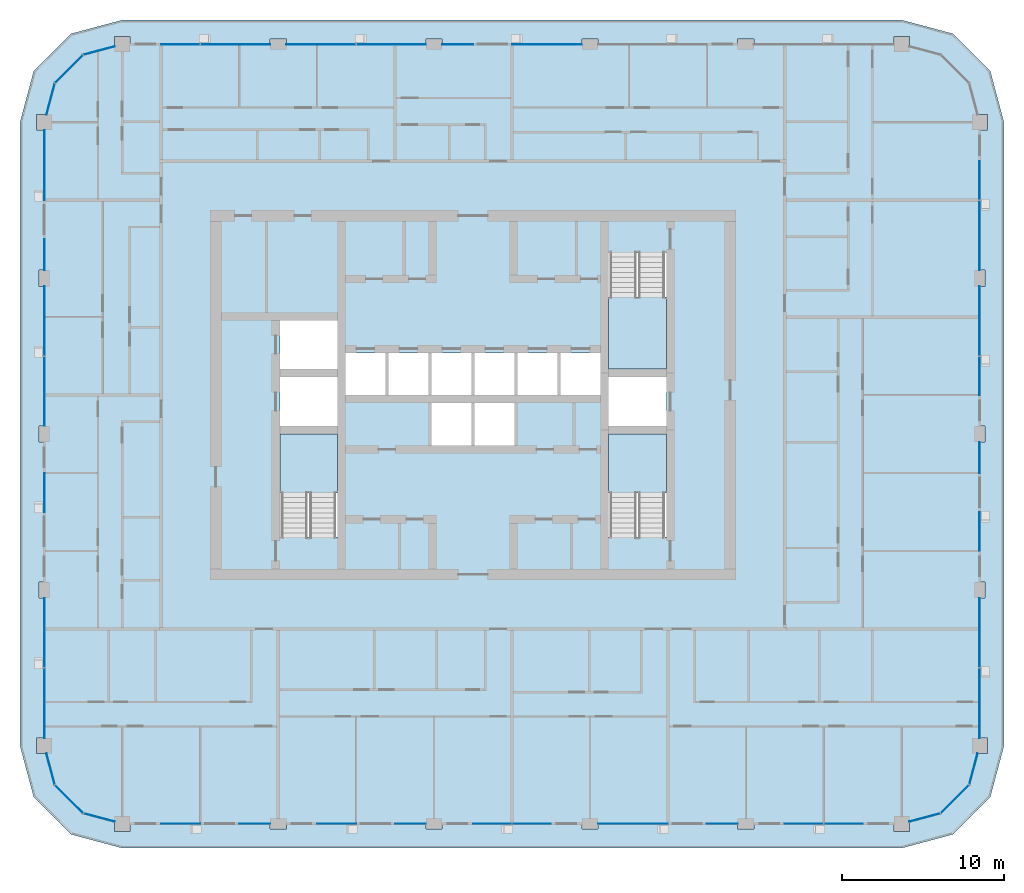
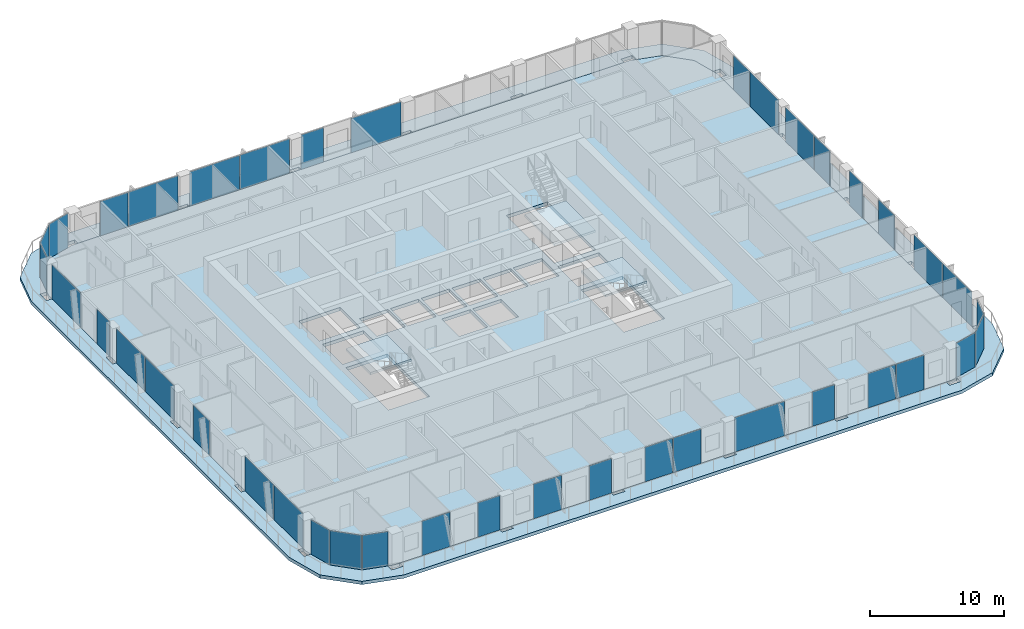
# One storey, part 7 of 22: 40 plates, 5 slabs, 22 elements without a shape of their own.
"""IFC4 building model written with IfcOpenShell, lengths in metres."""

from ifc_helpers import new_model, si_unit, direction, frame, origin, origin_2d, place, context, subcontext, project, spatial, polyline, rectangle, outline, extrude, material, layer, layer_set, type_object, element, aggregate, save


model = new_model("IFC4")

# Units and contexts
model_context = context("Model", 3, precision=1e-05, world=origin(), true_north=direction((0.0, 1.0)))
body_context = subcontext(model_context, "Body", "Model", "MODEL_VIEW")
ifc_project = project(units=[si_unit("LENGTHUNIT", "METRE"), si_unit("AREAUNIT", "SQUARE_METRE"), si_unit("VOLUMEUNIT", "CUBIC_METRE"), si_unit("PLANEANGLEUNIT", "RADIAN"), si_unit("MASSUNIT", "GRAM", prefix="KILO")], contexts=[model_context])

# Site, building, storey
site_placement = place(None, origin())
site = spatial("IfcSite", under=ifc_project, at=site_placement, CompositionType="ELEMENT")
building_placement = place(site_placement, origin())
building = spatial("IfcBuilding", under=site, at=building_placement, Name="Madar Terraces", CompositionType="ELEMENT")
storey_placement = place(building_placement, frame((0.0, 0.0, 182.39990234375)))
storey = spatial("IfcBuildingStorey", under=building, at=storey_placement, Name="L47", CompositionType="ELEMENT", Elevation=182.39990234375)

# Slabs
ifc_material_1 = material(Name="Concrete C50/60", Category="concrete")
ifc_layer_1 = layer(ifc_material_1, 0.300048828125)
ifc_layer_set_1 = layer_set([ifc_layer_1], Name="Balcony band 300")
slab_type_1 = type_object("IfcSlabType", Name="Balcony band 300", PredefinedType="FLOOR", material=ifc_layer_set_1)
slab_1_placement = place(storey_placement, frame((0.0, 0.0, -0.2998046875)))
element("IfcSlab", 1, at=slab_1_placement, inside=storey, type_object=slab_type_1, Name="Balcony band", PredefinedType="FLOOR", context=body_context, shape_type="SweptSolid", body=[
    extrude(outline(polyline([(9.60009765625, -1.5), (6.449951171875, -0.656005859375), (4.14404296875, 1.64990234375), (3.300048828125, 4.800048828125), (3.300048828125, 43.199951171875), (4.14404296875, 46.35009765625), (6.449951171875, 48.656005859375), (9.60009765625, 49.5), (57.60009765625, 49.5), (60.75, 48.656005859375), (63.055908203125, 46.35009765625), (63.89990234375, 43.199951171875), (63.89990234375, 4.800048828125), (63.055908203125, 1.64990234375), (60.75, -0.656005859375), (57.60009765625, -1.5), (9.60009765625, -1.5)]), holes=[polyline([(10.074951171875, -0.47509765625), (10.074951171875, 0.0), (18.699951171875, 0.0), (18.699951171875, -0.324951171875), (19.699951171875, -0.324951171875), (19.699951171875, 0.0), (28.300048828125, 0.0), (28.300048828125, -0.324951171875), (29.300048828125, -0.324951171875), (29.300048828125, 0.0), (37.89990234375, 0.0), (37.89990234375, -0.324951171875), (38.89990234375, -0.324951171875), (38.89990234375, 0.0), (47.5, 0.0), (47.5, -0.324951171875), (48.5, -0.324951171875), (48.5, 0.0), (57.125, 0.0), (57.125, -0.47509765625), (58.074951171875, -0.47509765625), (58.074951171875, 0.127197265625), (60.0, 0.64306640625), (61.7568359375, 2.39990234375), (62.272705078125, 4.324951171875), (62.875, 4.324951171875), (62.875, 5.27490234375), (62.39990234375, 5.27490234375), (62.39990234375, 13.89990234375), (62.72509765625, 13.89990234375), (62.72509765625, 14.89990234375), (62.39990234375, 14.89990234375), (62.39990234375, 23.5), (62.72509765625, 23.5), (62.72509765625, 24.5), (62.39990234375, 24.5), (62.39990234375, 33.10009765625), (62.72509765625, 33.10009765625), (62.72509765625, 34.10009765625), (62.39990234375, 34.10009765625), (62.39990234375, 42.72509765625), (62.875, 42.72509765625), (62.875, 43.675048828125), (62.272705078125, 43.675048828125), (61.7568359375, 45.60009765625), (60.0, 47.35693359375), (58.074951171875, 47.872802734375), (58.074951171875, 48.47509765625), (57.125, 48.47509765625), (57.125, 48.0), (48.5, 48.0), (48.5, 48.324951171875), (47.5, 48.324951171875), (47.5, 48.0), (38.89990234375, 48.0), (38.89990234375, 48.324951171875), (37.89990234375, 48.324951171875), (37.89990234375, 48.0), (29.300048828125, 48.0), (29.300048828125, 48.324951171875), (28.300048828125, 48.324951171875), (28.300048828125, 48.0), (19.699951171875, 48.0), (19.699951171875, 48.324951171875), (18.699951171875, 48.324951171875), (18.699951171875, 48.0), (10.074951171875, 48.0), (10.074951171875, 48.47509765625), (9.125, 48.47509765625), (9.125, 47.872802734375), (7.199951171875, 47.35693359375), (5.443115234375, 45.60009765625), (4.92724609375, 43.675048828125), (4.324951171875, 43.675048828125), (4.324951171875, 42.72509765625), (4.800048828125, 42.72509765625), (4.800048828125, 34.10009765625), (4.47509765625, 34.10009765625), (4.47509765625, 33.10009765625), (4.800048828125, 33.10009765625), (4.800048828125, 24.5), (4.47509765625, 24.5), (4.47509765625, 23.5), (4.800048828125, 23.5), (4.800048828125, 14.89990234375), (4.47509765625, 14.89990234375), (4.47509765625, 13.89990234375), (4.800048828125, 13.89990234375), (4.800048828125, 5.27490234375), (4.324951171875, 5.27490234375), (4.324951171875, 4.324951171875), (4.92724609375, 4.324951171875), (5.443115234375, 2.39990234375), (7.199951171875, 0.64306640625), (9.125, 0.127197265625), (9.125, -0.47509765625), (10.074951171875, -0.47509765625)])]), origin(), (0.0, 0.0, 1.0), 0.2998046875),
])
ifc_material_2 = material(Name="Concrete C50/60", Category="concrete")
ifc_layer_2 = layer(ifc_material_2, 0.300048828125)
ifc_layer_set_2 = layer_set([ifc_layer_2], Name="FS2 PT flat slab 300")
slab_type_2 = type_object("IfcSlabType", Name="FS2 PT flat slab 300", PredefinedType="FLOOR", material=ifc_layer_set_2)
slab_2_placement = place(storey_placement, frame((0.0, 0.0, -0.2998046875)))
element("IfcSlab", 2, at=slab_2_placement, inside=storey, type_object=slab_type_2, Name="Floor slab L47 (1)", PredefinedType="FLOOR", context=body_context, shape_type="SweptSolid", body=[
    extrude(outline(polyline([(57.60009765625, 0.0), (60.0, 0.64306640625), (61.7568359375, 2.39990234375), (62.39990234375, 4.800048828125), (62.39990234375, 43.199951171875), (61.7568359375, 45.60009765625), (60.0, 47.35693359375), (57.60009765625, 48.0), (9.60009765625, 48.0), (7.199951171875, 47.35693359375), (5.443115234375, 45.60009765625), (4.800048828125, 43.199951171875), (4.800048828125, 4.800048828125), (5.443115234375, 2.39990234375), (7.199951171875, 0.64306640625), (9.60009765625, 0.0), (57.60009765625, 0.0)]), holes=[polyline([(22.85009765625, 17.64990234375), (19.300048828125, 17.64990234375), (19.300048828125, 24.0), (22.85009765625, 24.0), (22.85009765625, 17.64990234375)]), polyline([(28.64990234375, 23.300048828125), (28.64990234375, 25.89990234375), (31.10009765625, 25.89990234375), (31.10009765625, 23.300048828125), (28.64990234375, 23.300048828125)]), polyline([(19.300048828125, 24.5), (19.300048828125, 27.5), (22.85009765625, 27.5), (22.85009765625, 24.5), (19.300048828125, 24.5)]), polyline([(23.35009765625, 26.39990234375), (23.35009765625, 29.0), (25.800048828125, 29.0), (25.800048828125, 26.39990234375), (23.35009765625, 26.39990234375)]), polyline([(26.0, 26.39990234375), (26.0, 29.0), (28.449951171875, 29.0), (28.449951171875, 26.39990234375), (26.0, 26.39990234375)]), polyline([(28.64990234375, 26.39990234375), (28.64990234375, 29.0), (31.10009765625, 29.0), (31.10009765625, 26.39990234375), (28.64990234375, 26.39990234375)]), polyline([(19.300048828125, 28.0), (19.300048828125, 31.0), (22.85009765625, 31.0), (22.85009765625, 28.0), (19.300048828125, 28.0)]), polyline([(43.10009765625, 17.64990234375), (39.550048828125, 17.64990234375), (39.550048828125, 24.0), (43.10009765625, 24.0), (43.10009765625, 17.64990234375)]), polyline([(31.300048828125, 23.300048828125), (31.300048828125, 25.89990234375), (33.75, 25.89990234375), (33.75, 23.300048828125), (31.300048828125, 23.300048828125)]), polyline([(39.550048828125, 24.5), (39.550048828125, 27.5), (43.10009765625, 27.5), (43.10009765625, 24.5), (39.550048828125, 24.5)]), polyline([(31.300048828125, 26.39990234375), (31.300048828125, 29.0), (33.75, 29.0), (33.75, 26.39990234375), (31.300048828125, 26.39990234375)]), polyline([(33.949951171875, 26.39990234375), (33.949951171875, 29.0), (36.39990234375, 29.0), (36.39990234375, 26.39990234375), (33.949951171875, 26.39990234375)]), polyline([(36.60009765625, 26.39990234375), (36.60009765625, 29.0), (39.050048828125, 29.0), (39.050048828125, 26.39990234375), (36.60009765625, 26.39990234375)]), polyline([(39.550048828125, 28.0), (39.550048828125, 35.14990234375), (43.10009765625, 35.14990234375), (43.10009765625, 28.0), (39.550048828125, 28.0)])]), origin(), (0.0, 0.0, 1.0), 0.2998046875),
])

# Curtain wall, plates
ifc_material_3 = material(Name="Glass, ceramic frit dark grey, with black aluminium frame", Category="aluminium")
ifc_layer_3 = layer(ifc_material_3, 0.199951171875)
ifc_layer_set_3 = layer_set([ifc_layer_3], Name="Facade curtain wall, fritted glass")
curtain_wall_type = type_object("IfcCurtainWallType", Name="Facade curtain wall, fritted glass", PredefinedType="NOTDEFINED", material=ifc_layer_set_3)
curtain_wall_1_placement = place(storey_placement, origin())
curtain_wall_1 = element("IfcCurtainWall", 3, at=curtain_wall_1_placement, inside=storey, type_object=curtain_wall_type, Name="Outer skin curtain wall south bay 1", PredefinedType="NOTDEFINED")
ifc_material_4 = material(Name="Glass, ceramic frit dark grey", Category="glass")
ifc_layer_4 = layer(ifc_material_4, 0.028076171875)
ifc_layer_set_4 = layer_set([ifc_layer_4], Name="Facade glass panel 28")
plate_type = type_object("IfcPlateType", Name="Facade glass panel 28", PredefinedType="CURTAIN_PANEL", material=ifc_layer_set_4)
plate_1_placement = place(storey_placement, frame((13.199951171875, 0.0, 0.0), z_axis=(0.0, 0.0, 1.0), x_axis=(1.0, 0.0, 0.0)))
plate_1 = element("IfcPlate", 4, at=plate_1_placement, type_object=plate_type, Name="Panel 1", PredefinedType="CURTAIN_PANEL", context=body_context, shape_type="SweptSolid", body=[
    extrude(rectangle(XDim=2.39990234375, YDim=0.028076171875, at=origin_2d()), origin(), (0.0, 0.0, 1.0), 3.139892578125),
])
plate_2_placement = place(storey_placement, frame((17.75, 0.0, 0.0), z_axis=(0.0, 0.0, 1.0), x_axis=(1.0, 0.0, 0.0)))
plate_2 = element("IfcPlate", 5, at=plate_2_placement, type_object=plate_type, Name="Panel 2", PredefinedType="CURTAIN_PANEL", context=body_context, shape_type="SweptSolid", body=[
    extrude(rectangle(XDim=1.89990234375, YDim=0.028076171875, at=origin_2d()), origin(), (0.0, 0.0, 1.0), 3.139892578125),
])
aggregate(curtain_wall_1, [plate_1, plate_2])

curtain_wall_2_placement = place(storey_placement, origin())
curtain_wall_2 = element("IfcCurtainWall", 6, at=curtain_wall_2_placement, inside=storey, type_object=curtain_wall_type, Name="Outer skin curtain wall south bay 2", PredefinedType="NOTDEFINED")
plate_3_placement = place(storey_placement, frame((22.800048828125, 0.0, 0.0), z_axis=(0.0, 0.0, 1.0), x_axis=(1.0, 0.0, 0.0)))
plate_3 = element("IfcPlate", 7, at=plate_3_placement, type_object=plate_type, Name="Panel 1", PredefinedType="CURTAIN_PANEL", context=body_context, shape_type="SweptSolid", body=[
    extrude(rectangle(XDim=2.39990234375, YDim=0.028076171875, at=origin_2d()), origin(), (0.0, 0.0, 1.0), 3.139892578125),
])
plate_4_placement = place(storey_placement, frame((27.35009765625, 0.0, 0.0), z_axis=(0.0, 0.0, 1.0), x_axis=(1.0, 0.0, 0.0)))
plate_4 = element("IfcPlate", 8, at=plate_4_placement, type_object=plate_type, Name="Panel 2", PredefinedType="CURTAIN_PANEL", context=body_context, shape_type="SweptSolid", body=[
    extrude(rectangle(XDim=1.89990234375, YDim=0.028076171875, at=origin_2d()), origin(), (0.0, 0.0, 1.0), 3.139892578125),
])
aggregate(curtain_wall_2, [plate_3, plate_4])

curtain_wall_3_placement = place(storey_placement, origin())
curtain_wall_3 = element("IfcCurtainWall", 9, at=curtain_wall_3_placement, inside=storey, type_object=curtain_wall_type, Name="Outer skin curtain wall south bay 3", PredefinedType="NOTDEFINED")
plate_5_placement = place(storey_placement, frame((32.385009765625, 0.0, 0.0), z_axis=(0.0, 0.0, 1.0), x_axis=(1.0, 0.0, 0.0)))
plate_5 = element("IfcPlate", 10, at=plate_5_placement, type_object=plate_type, Name="Panel 1", PredefinedType="CURTAIN_PANEL", context=body_context, shape_type="SweptSolid", body=[
    extrude(rectangle(XDim=2.3701171875, YDim=0.028076171875, at=origin_2d()), origin(), (0.0, 0.0, 1.0), 3.139892578125),
])
plate_6_placement = place(storey_placement, frame((34.81494140625, 0.0, 0.0), z_axis=(0.0, 0.0, 1.0), x_axis=(1.0, 0.0, 0.0)))
plate_6 = element("IfcPlate", 11, at=plate_6_placement, type_object=plate_type, Name="Panel 2", PredefinedType="CURTAIN_PANEL", context=body_context, shape_type="SweptSolid", body=[
    extrude(rectangle(XDim=2.3701171875, YDim=0.028076171875, at=origin_2d()), origin(), (0.0, 0.0, 1.0), 3.139892578125),
])
aggregate(curtain_wall_3, [plate_5, plate_6])

curtain_wall_4_placement = place(storey_placement, origin())
curtain_wall_4 = element("IfcCurtainWall", 12, at=curtain_wall_4_placement, inside=storey, type_object=curtain_wall_type, Name="Outer skin curtain wall south bay 4", PredefinedType="NOTDEFINED")
plate_7_placement = place(storey_placement, frame((41.050048828125, 0.0, 0.0), z_axis=(0.0, 0.0, 1.0), x_axis=(1.0, 0.0, 0.0)))
plate_7 = element("IfcPlate", 13, at=plate_7_placement, type_object=plate_type, Name="Panel 1", PredefinedType="CURTAIN_PANEL", context=body_context, shape_type="SweptSolid", body=[
    extrude(rectangle(XDim=4.300048828125, YDim=0.028076171875, at=origin_2d()), origin(), (0.0, 0.0, 1.0), 3.139892578125),
])
plate_8_placement = place(storey_placement, frame((46.550048828125, 0.0, 0.0), z_axis=(0.0, 0.0, 1.0), x_axis=(1.0, 0.0, 0.0)))
plate_8 = element("IfcPlate", 14, at=plate_8_placement, type_object=plate_type, Name="Panel 2", PredefinedType="CURTAIN_PANEL", context=body_context, shape_type="SweptSolid", body=[
    extrude(rectangle(XDim=1.89990234375, YDim=0.028076171875, at=origin_2d()), origin(), (0.0, 0.0, 1.0), 3.139892578125),
])
aggregate(curtain_wall_4, [plate_7, plate_8])

curtain_wall_5_placement = place(storey_placement, origin())
curtain_wall_5 = element("IfcCurtainWall", 15, at=curtain_wall_5_placement, inside=storey, type_object=curtain_wall_type, Name="Outer skin curtain wall south bay 5", PredefinedType="NOTDEFINED")
plate_9_placement = place(storey_placement, frame((51.5849609375, 0.0, 0.0), z_axis=(0.0, 0.0, 1.0), x_axis=(1.0, 0.0, 0.0)))
plate_9 = element("IfcPlate", 16, at=plate_9_placement, type_object=plate_type, Name="Panel 1", PredefinedType="CURTAIN_PANEL", context=body_context, shape_type="SweptSolid", body=[
    extrude(rectangle(XDim=2.3701171875, YDim=0.028076171875, at=origin_2d()), origin(), (0.0, 0.0, 1.0), 3.139892578125),
])
plate_10_placement = place(storey_placement, frame((54.014892578125, 0.0, 0.0), z_axis=(0.0, 0.0, 1.0), x_axis=(1.0, 0.0, 0.0)))
plate_10 = element("IfcPlate", 17, at=plate_10_placement, type_object=plate_type, Name="Panel 2", PredefinedType="CURTAIN_PANEL", context=body_context, shape_type="SweptSolid", body=[
    extrude(rectangle(XDim=2.3701171875, YDim=0.028076171875, at=origin_2d()), origin(), (0.0, 0.0, 1.0), 3.139892578125),
])
aggregate(curtain_wall_5, [plate_9, plate_10])

curtain_wall_6_placement = place(storey_placement, origin())
curtain_wall_6 = element("IfcCurtainWall", 18, at=curtain_wall_6_placement, inside=storey, type_object=curtain_wall_type, Name="Outer skin curtain wall east bay 1", PredefinedType="NOTDEFINED")
plate_11_placement = place(storey_placement, frame((62.39990234375, 7.422607421875, 0.0), z_axis=(0.0, 0.0, 1.0), x_axis=(0.0, 1.0, 0.0)))
plate_11 = element("IfcPlate", 19, at=plate_11_placement, type_object=plate_type, Name="Panel 1", PredefinedType="CURTAIN_PANEL", context=body_context, shape_type="SweptSolid", body=[
    extrude(rectangle(XDim=4.294921875, YDim=0.028076171875, at=origin_2d()), origin(), (0.0, 0.0, 1.0), 3.139892578125),
])
plate_12_placement = place(storey_placement, frame((62.39990234375, 11.764892578125, 0.0), z_axis=(0.0, 0.0, 1.0), x_axis=(0.0, 1.0, 0.0)))
plate_12 = element("IfcPlate", 20, at=plate_12_placement, type_object=plate_type, Name="Panel 2", PredefinedType="CURTAIN_PANEL", context=body_context, shape_type="SweptSolid", body=[
    extrude(rectangle(XDim=4.27001953125, YDim=0.028076171875, at=origin_2d()), origin(), (0.0, 0.0, 1.0), 3.139892578125),
])
aggregate(curtain_wall_6, [plate_11, plate_12])

curtain_wall_7_placement = place(storey_placement, origin())
curtain_wall_7 = element("IfcCurtainWall", 21, at=curtain_wall_7_placement, inside=storey, type_object=curtain_wall_type, Name="Outer skin curtain wall east bay 2", PredefinedType="NOTDEFINED")
plate_13_placement = place(storey_placement, frame((62.39990234375, 18.0, 0.0), z_axis=(0.0, 0.0, 1.0), x_axis=(0.0, 1.0, 0.0)))
plate_13 = element("IfcPlate", 22, at=plate_13_placement, type_object=plate_type, Name="Panel 1", PredefinedType="CURTAIN_PANEL", context=body_context, shape_type="SweptSolid", body=[
    extrude(rectangle(XDim=2.39990234375, YDim=0.028076171875, at=origin_2d()), origin(), (0.0, 0.0, 1.0), 3.139892578125),
])
plate_14_placement = place(storey_placement, frame((62.39990234375, 22.550048828125, 0.0), z_axis=(0.0, 0.0, 1.0), x_axis=(0.0, 1.0, 0.0)))
plate_14 = element("IfcPlate", 23, at=plate_14_placement, type_object=plate_type, Name="Panel 2", PredefinedType="CURTAIN_PANEL", context=body_context, shape_type="SweptSolid", body=[
    extrude(rectangle(XDim=1.89990234375, YDim=0.028076171875, at=origin_2d()), origin(), (0.0, 0.0, 1.0), 3.139892578125),
])
aggregate(curtain_wall_7, [plate_13, plate_14])

curtain_wall_8_placement = place(storey_placement, origin())
curtain_wall_8 = element("IfcCurtainWall", 24, at=curtain_wall_8_placement, inside=storey, type_object=curtain_wall_type, Name="Outer skin curtain wall east bay 3", PredefinedType="NOTDEFINED")
plate_15_placement = place(storey_placement, frame((62.39990234375, 27.5849609375, 0.0), z_axis=(0.0, 0.0, 1.0), x_axis=(0.0, 1.0, 0.0)))
plate_15 = element("IfcPlate", 25, at=plate_15_placement, type_object=plate_type, Name="Panel 1", PredefinedType="CURTAIN_PANEL", context=body_context, shape_type="SweptSolid", body=[
    extrude(rectangle(XDim=2.3701171875, YDim=0.028076171875, at=origin_2d()), origin(), (0.0, 0.0, 1.0), 3.139892578125),
])
plate_16_placement = place(storey_placement, frame((62.39990234375, 30.965087890625, 0.0), z_axis=(0.0, 0.0, 1.0), x_axis=(0.0, 1.0, 0.0)))
plate_16 = element("IfcPlate", 26, at=plate_16_placement, type_object=plate_type, Name="Panel 2", PredefinedType="CURTAIN_PANEL", context=body_context, shape_type="SweptSolid", body=[
    extrude(rectangle(XDim=4.27001953125, YDim=0.028076171875, at=origin_2d()), origin(), (0.0, 0.0, 1.0), 3.139892578125),
])
aggregate(curtain_wall_8, [plate_15, plate_16])

curtain_wall_9_placement = place(storey_placement, origin())
curtain_wall_9 = element("IfcCurtainWall", 27, at=curtain_wall_9_placement, inside=storey, type_object=curtain_wall_type, Name="Outer skin curtain wall east bay 4", PredefinedType="NOTDEFINED")
plate_17_placement = place(storey_placement, frame((62.39990234375, 36.235107421875, 0.0), z_axis=(0.0, 0.0, 1.0), x_axis=(0.0, 1.0, 0.0)))
plate_17 = element("IfcPlate", 28, at=plate_17_placement, type_object=plate_type, Name="Panel 1", PredefinedType="CURTAIN_PANEL", context=body_context, shape_type="SweptSolid", body=[
    extrude(rectangle(XDim=4.27001953125, YDim=0.028076171875, at=origin_2d()), origin(), (0.0, 0.0, 1.0), 3.139892578125),
])
plate_18_placement = place(storey_placement, frame((62.39990234375, 39.614990234375, 0.0), z_axis=(0.0, 0.0, 1.0), x_axis=(0.0, 1.0, 0.0)))
plate_18 = element("IfcPlate", 29, at=plate_18_placement, type_object=plate_type, Name="Panel 2", PredefinedType="CURTAIN_PANEL", context=body_context, shape_type="SweptSolid", body=[
    extrude(rectangle(XDim=2.3701171875, YDim=0.028076171875, at=origin_2d()), origin(), (0.0, 0.0, 1.0), 3.139892578125),
])
aggregate(curtain_wall_9, [plate_17, plate_18])

curtain_wall_10_placement = place(storey_placement, origin())
curtain_wall_10 = element("IfcCurtainWall", 30, at=curtain_wall_10_placement, inside=storey, type_object=curtain_wall_type, Name="Outer skin curtain wall north bay 3", PredefinedType="NOTDEFINED")
plate_19_placement = place(storey_placement, frame((35.75, 48.0, 0.0), z_axis=(0.0, 0.0, 1.0), x_axis=(-1.0, 0.0, 0.0)))
plate_19 = element("IfcPlate", 31, at=plate_19_placement, type_object=plate_type, Name="Panel 1", PredefinedType="CURTAIN_PANEL", context=body_context, shape_type="SweptSolid", body=[
    extrude(rectangle(XDim=4.300048828125, YDim=0.028076171875, at=origin_2d()), origin(), (0.0, 0.0, 1.0), 3.139892578125),
])
plate_20_placement = place(storey_placement, frame((30.25, 48.0, 0.0), z_axis=(0.0, 0.0, 1.0), x_axis=(-1.0, 0.0, 0.0)))
plate_20 = element("IfcPlate", 32, at=plate_20_placement, type_object=plate_type, Name="Panel 2", PredefinedType="CURTAIN_PANEL", context=body_context, shape_type="SweptSolid", body=[
    extrude(rectangle(XDim=1.89990234375, YDim=0.028076171875, at=origin_2d()), origin(), (0.0, 0.0, 1.0), 3.139892578125),
])
aggregate(curtain_wall_10, [plate_19, plate_20])

curtain_wall_11_placement = place(storey_placement, origin())
curtain_wall_11 = element("IfcCurtainWall", 33, at=curtain_wall_11_placement, inside=storey, type_object=curtain_wall_type, Name="Outer skin curtain wall north bay 4", PredefinedType="NOTDEFINED")
plate_21_placement = place(storey_placement, frame((26.1650390625, 48.0, 0.0), z_axis=(0.0, 0.0, 1.0), x_axis=(-1.0, 0.0, 0.0)))
plate_21 = element("IfcPlate", 34, at=plate_21_placement, type_object=plate_type, Name="Panel 1", PredefinedType="CURTAIN_PANEL", context=body_context, shape_type="SweptSolid", body=[
    extrude(rectangle(XDim=4.27001953125, YDim=0.028076171875, at=origin_2d()), origin(), (0.0, 0.0, 1.0), 3.139892578125),
])
plate_22_placement = place(storey_placement, frame((21.8349609375, 48.0, 0.0), z_axis=(0.0, 0.0, 1.0), x_axis=(-1.0, 0.0, 0.0)))
plate_22 = element("IfcPlate", 35, at=plate_22_placement, type_object=plate_type, Name="Panel 2", PredefinedType="CURTAIN_PANEL", context=body_context, shape_type="SweptSolid", body=[
    extrude(rectangle(XDim=4.27001953125, YDim=0.028076171875, at=origin_2d()), origin(), (0.0, 0.0, 1.0), 3.139892578125),
])
aggregate(curtain_wall_11, [plate_21, plate_22])

curtain_wall_12_placement = place(storey_placement, origin())
curtain_wall_12 = element("IfcCurtainWall", 36, at=curtain_wall_12_placement, inside=storey, type_object=curtain_wall_type, Name="Outer skin curtain wall north bay 5", PredefinedType="NOTDEFINED")
plate_23_placement = place(storey_placement, frame((16.56494140625, 48.0, 0.0), z_axis=(0.0, 0.0, 1.0), x_axis=(-1.0, 0.0, 0.0)))
plate_23 = element("IfcPlate", 37, at=plate_23_placement, type_object=plate_type, Name="Panel 1", PredefinedType="CURTAIN_PANEL", context=body_context, shape_type="SweptSolid", body=[
    extrude(rectangle(XDim=4.27001953125, YDim=0.028076171875, at=origin_2d()), origin(), (0.0, 0.0, 1.0), 3.139892578125),
])
plate_24_placement = place(storey_placement, frame((13.18505859375, 48.0, 0.0), z_axis=(0.0, 0.0, 1.0), x_axis=(-1.0, 0.0, 0.0)))
plate_24 = element("IfcPlate", 38, at=plate_24_placement, type_object=plate_type, Name="Panel 2", PredefinedType="CURTAIN_PANEL", context=body_context, shape_type="SweptSolid", body=[
    extrude(rectangle(XDim=2.3701171875, YDim=0.028076171875, at=origin_2d()), origin(), (0.0, 0.0, 1.0), 3.139892578125),
])
aggregate(curtain_wall_12, [plate_23, plate_24])

curtain_wall_13_placement = place(storey_placement, origin())
curtain_wall_13 = element("IfcCurtainWall", 39, at=curtain_wall_13_placement, inside=storey, type_object=curtain_wall_type, Name="Outer skin curtain wall west bay 1", PredefinedType="NOTDEFINED")
plate_25_placement = place(storey_placement, frame((4.800048828125, 40.5625, 0.0), z_axis=(0.0, 0.0, 1.0), x_axis=(0.0, -1.0, 0.0)))
plate_25 = element("IfcPlate", 40, at=plate_25_placement, type_object=plate_type, Name="Panel 1", PredefinedType="CURTAIN_PANEL", context=body_context, shape_type="SweptSolid", body=[
    extrude(rectangle(XDim=4.324951171875, YDim=0.028076171875, at=origin_2d()), origin(), (0.0, 0.0, 1.0), 3.139892578125),
])
plate_26_placement = place(storey_placement, frame((4.800048828125, 35.050048828125, 0.0), z_axis=(0.0, 0.0, 1.0), x_axis=(0.0, -1.0, 0.0)))
plate_26 = element("IfcPlate", 41, at=plate_26_placement, type_object=plate_type, Name="Panel 2", PredefinedType="CURTAIN_PANEL", context=body_context, shape_type="SweptSolid", body=[
    extrude(rectangle(XDim=1.89990234375, YDim=0.028076171875, at=origin_2d()), origin(), (0.0, 0.0, 1.0), 3.139892578125),
])
aggregate(curtain_wall_13, [plate_25, plate_26])

curtain_wall_14_placement = place(storey_placement, origin())
curtain_wall_14 = element("IfcCurtainWall", 42, at=curtain_wall_14_placement, inside=storey, type_object=curtain_wall_type, Name="Outer skin curtain wall west bay 2", PredefinedType="NOTDEFINED")
plate_27_placement = place(storey_placement, frame((4.800048828125, 30.965087890625, 0.0), z_axis=(0.0, 0.0, 1.0), x_axis=(0.0, -1.0, 0.0)))
plate_27 = element("IfcPlate", 43, at=plate_27_placement, type_object=plate_type, Name="Panel 1", PredefinedType="CURTAIN_PANEL", context=body_context, shape_type="SweptSolid", body=[
    extrude(rectangle(XDim=4.27001953125, YDim=0.028076171875, at=origin_2d()), origin(), (0.0, 0.0, 1.0), 3.139892578125),
])
plate_28_placement = place(storey_placement, frame((4.800048828125, 26.635009765625, 0.0), z_axis=(0.0, 0.0, 1.0), x_axis=(0.0, -1.0, 0.0)))
plate_28 = element("IfcPlate", 44, at=plate_28_placement, type_object=plate_type, Name="Panel 2", PredefinedType="CURTAIN_PANEL", context=body_context, shape_type="SweptSolid", body=[
    extrude(rectangle(XDim=4.27001953125, YDim=0.028076171875, at=origin_2d()), origin(), (0.0, 0.0, 1.0), 3.139892578125),
])
aggregate(curtain_wall_14, [plate_27, plate_28])

# Curtain wall, plate
curtain_wall_15_placement = place(storey_placement, origin())
curtain_wall_15 = element("IfcCurtainWall", 45, at=curtain_wall_15_placement, inside=storey, type_object=curtain_wall_type, Name="Outer skin curtain wall west bay 3", PredefinedType="NOTDEFINED")
plate_29_placement = place(storey_placement, frame((4.800048828125, 20.39990234375, 0.0), z_axis=(0.0, 0.0, 1.0), x_axis=(0.0, -1.0, 0.0)))
plate_29 = element("IfcPlate", 46, at=plate_29_placement, type_object=plate_type, Name="Panel 1", PredefinedType="CURTAIN_PANEL", context=body_context, shape_type="SweptSolid", body=[
    extrude(rectangle(XDim=2.39990234375, YDim=0.028076171875, at=origin_2d()), origin(), (0.0, 0.0, 1.0), 3.139892578125),
])
aggregate(curtain_wall_15, [plate_29])

# Curtain wall, plates
curtain_wall_16_placement = place(storey_placement, origin())
curtain_wall_16 = element("IfcCurtainWall", 47, at=curtain_wall_16_placement, inside=storey, type_object=curtain_wall_type, Name="Outer skin curtain wall west bay 4", PredefinedType="NOTDEFINED")
plate_30_placement = place(storey_placement, frame((4.800048828125, 11.764892578125, 0.0), z_axis=(0.0, 0.0, 1.0), x_axis=(0.0, -1.0, 0.0)))
plate_30 = element("IfcPlate", 48, at=plate_30_placement, type_object=plate_type, Name="Panel 1", PredefinedType="CURTAIN_PANEL", context=body_context, shape_type="SweptSolid", body=[
    extrude(rectangle(XDim=4.27001953125, YDim=0.028076171875, at=origin_2d()), origin(), (0.0, 0.0, 1.0), 3.139892578125),
])
plate_31_placement = place(storey_placement, frame((4.800048828125, 7.422607421875, 0.0), z_axis=(0.0, 0.0, 1.0), x_axis=(0.0, -1.0, 0.0)))
plate_31 = element("IfcPlate", 49, at=plate_31_placement, type_object=plate_type, Name="Panel 2", PredefinedType="CURTAIN_PANEL", context=body_context, shape_type="SweptSolid", body=[
    extrude(rectangle(XDim=4.294921875, YDim=0.028076171875, at=origin_2d()), origin(), (0.0, 0.0, 1.0), 3.139892578125),
])
aggregate(curtain_wall_16, [plate_30, plate_31])

curtain_wall_17_placement = place(storey_placement, origin())
curtain_wall_17 = element("IfcCurtainWall", 50, at=curtain_wall_17_placement, inside=storey, type_object=curtain_wall_type, Name="Outer skin curtain wall south-east corner", PredefinedType="NOTDEFINED")
plate_32_placement = place(storey_placement, frame((59.02294921875, 0.38134765625, 0.0), z_axis=(0.0, 0.0, 1.0), x_axis=(0.965925832509, 0.258819021888, 0.0)))
plate_32 = element("IfcPlate", 51, at=plate_32_placement, type_object=plate_type, Name="Panel 1", PredefinedType="CURTAIN_PANEL", context=body_context, shape_type="SweptSolid", body=[
    extrude(rectangle(XDim=1.962890625, YDim=0.028076171875, at=origin_2d()), origin(), (0.0, 0.0, 1.0), 3.139892578125),
])
plate_33_placement = place(storey_placement, frame((60.87841796875, 1.521484375, 0.0), z_axis=(0.0, 0.0, 1.0), x_axis=(0.707106781187, 0.707106781187, 0.0)))
plate_33 = element("IfcPlate", 52, at=plate_33_placement, type_object=plate_type, Name="Panel 2", PredefinedType="CURTAIN_PANEL", context=body_context, shape_type="SweptSolid", body=[
    extrude(rectangle(XDim=2.424560546875, YDim=0.028076171875, at=origin_2d()), origin(), (0.0, 0.0, 1.0), 3.139892578125),
])
plate_34_placement = place(storey_placement, frame((62.018798828125, 3.376953125, 0.0), z_axis=(0.0, 0.0, 1.0), x_axis=(0.258819021888, 0.965925832509, 0.0)))
plate_34 = element("IfcPlate", 53, at=plate_34_placement, type_object=plate_type, Name="Panel 3", PredefinedType="CURTAIN_PANEL", context=body_context, shape_type="SweptSolid", body=[
    extrude(rectangle(XDim=1.962890625, YDim=0.028076171875, at=origin_2d()), origin(), (0.0, 0.0, 1.0), 3.139892578125),
])
aggregate(curtain_wall_17, [plate_32, plate_33, plate_34])

curtain_wall_18_placement = place(storey_placement, origin())
curtain_wall_18 = element("IfcCurtainWall", 54, at=curtain_wall_18_placement, inside=storey, type_object=curtain_wall_type, Name="Outer skin curtain wall north-west corner", PredefinedType="NOTDEFINED")
plate_35_placement = place(storey_placement, frame((8.177001953125, 47.61865234375, 0.0), z_axis=(0.0, 0.0, 1.0), x_axis=(-0.965925832509, -0.258819021888, 0.0)))
plate_35 = element("IfcPlate", 55, at=plate_35_placement, type_object=plate_type, Name="Panel 1", PredefinedType="CURTAIN_PANEL", context=body_context, shape_type="SweptSolid", body=[
    extrude(rectangle(XDim=1.962890625, YDim=0.028076171875, at=origin_2d()), origin(), (0.0, 0.0, 1.0), 3.139892578125),
])
plate_36_placement = place(storey_placement, frame((6.321533203125, 46.478515625, 0.0), z_axis=(0.0, 0.0, 1.0), x_axis=(-0.707106781187, -0.707106781187, 0.0)))
plate_36 = element("IfcPlate", 56, at=plate_36_placement, type_object=plate_type, Name="Panel 2", PredefinedType="CURTAIN_PANEL", context=body_context, shape_type="SweptSolid", body=[
    extrude(rectangle(XDim=2.424560546875, YDim=0.028076171875, at=origin_2d()), origin(), (0.0, 0.0, 1.0), 3.139892578125),
])
plate_37_placement = place(storey_placement, frame((5.181396484375, 44.623046875, 0.0), z_axis=(0.0, 0.0, 1.0), x_axis=(-0.258819021888, -0.965925832509, 0.0)))
plate_37 = element("IfcPlate", 57, at=plate_37_placement, type_object=plate_type, Name="Panel 3", PredefinedType="CURTAIN_PANEL", context=body_context, shape_type="SweptSolid", body=[
    extrude(rectangle(XDim=1.962890625, YDim=0.028076171875, at=origin_2d()), origin(), (0.0, 0.0, 1.0), 3.139892578125),
])
aggregate(curtain_wall_18, [plate_35, plate_36, plate_37])

curtain_wall_19_placement = place(storey_placement, origin())
curtain_wall_19 = element("IfcCurtainWall", 58, at=curtain_wall_19_placement, inside=storey, type_object=curtain_wall_type, Name="Outer skin curtain wall south-west corner", PredefinedType="NOTDEFINED")
plate_38_placement = place(storey_placement, frame((5.181396484375, 3.376953125, 0.0), z_axis=(0.0, 0.0, 1.0), x_axis=(0.258819021888, -0.965925832509, 0.0)))
plate_38 = element("IfcPlate", 59, at=plate_38_placement, type_object=plate_type, Name="Panel 1", PredefinedType="CURTAIN_PANEL", context=body_context, shape_type="SweptSolid", body=[
    extrude(rectangle(XDim=1.962890625, YDim=0.028076171875, at=origin_2d()), origin(), (0.0, 0.0, 1.0), 3.139892578125),
])
plate_39_placement = place(storey_placement, frame((6.321533203125, 1.521484375, 0.0), z_axis=(0.0, 0.0, 1.0), x_axis=(0.707106781187, -0.707106781187, 0.0)))
plate_39 = element("IfcPlate", 60, at=plate_39_placement, type_object=plate_type, Name="Panel 2", PredefinedType="CURTAIN_PANEL", context=body_context, shape_type="SweptSolid", body=[
    extrude(rectangle(XDim=2.424560546875, YDim=0.028076171875, at=origin_2d()), origin(), (0.0, 0.0, 1.0), 3.139892578125),
])
plate_40_placement = place(storey_placement, frame((8.177001953125, 0.38134765625, 0.0), z_axis=(0.0, 0.0, 1.0), x_axis=(0.965925832509, -0.258819021888, 0.0)))
plate_40 = element("IfcPlate", 61, at=plate_40_placement, type_object=plate_type, Name="Panel 3", PredefinedType="CURTAIN_PANEL", context=body_context, shape_type="SweptSolid", body=[
    extrude(rectangle(XDim=1.962890625, YDim=0.028076171875, at=origin_2d()), origin(), (0.0, 0.0, 1.0), 3.139892578125),
])
aggregate(curtain_wall_19, [plate_38, plate_39, plate_40])

# Stair, slab
ifc_material_5 = material(Name="Concrete C50/60", Category="concrete")
stair_type_1 = type_object("IfcStairType", Name="Stair ST1 protected exit", PredefinedType="HALF_TURN_STAIR", material=ifc_material_5)
stair_1_placement = place(storey_placement, origin())
stair_1 = element("IfcStair", 62, at=stair_1_placement, inside=storey, type_object=stair_type_1, Name="L47 Protected Exit Stair ST1", PredefinedType="HALF_TURN_STAIR")
ifc_material_6 = material(Name="Concrete C50/60", Category="concrete")
ifc_layer_5 = layer(ifc_material_6, 0.199951171875)
ifc_layer_set_5 = layer_set([ifc_layer_5], Name="Stair landing 200, top +1.75")
slab_type_3 = type_object("IfcSlabType", Name="Stair landing 200, top +1.75", PredefinedType="LANDING", material=ifc_layer_set_5)
slab_3_placement = place(storey_placement, frame((0.0, 0.0, 1.550048828125)))
slab_3 = element("IfcSlab", 63, at=slab_3_placement, type_object=slab_type_3, Name="ST1 landing 1", PredefinedType="LANDING", context=body_context, shape_type="SweptSolid", body=[
    extrude(outline(polyline([(19.300048828125, 20.360107421875), (22.85009765625, 20.360107421875), (22.85009765625, 24.0), (19.300048828125, 24.0), (19.300048828125, 20.360107421875)])), origin(), (0.0, 0.0, 1.0), 0.199951171875),
])
aggregate(stair_1, [slab_3])

ifc_material_7 = material(Name="Concrete C50/60", Category="concrete")
stair_type_2 = type_object("IfcStairType", Name="Stair ST2 protected exit", PredefinedType="HALF_TURN_STAIR", material=ifc_material_7)
stair_2_placement = place(storey_placement, origin())
stair_2 = element("IfcStair", 64, at=stair_2_placement, inside=storey, type_object=stair_type_2, Name="L47 Protected Exit Stair ST2", PredefinedType="HALF_TURN_STAIR")
slab_4_placement = place(storey_placement, frame((0.0, 0.0, 1.550048828125)))
slab_4 = element("IfcSlab", 65, at=slab_4_placement, type_object=slab_type_3, Name="ST2 landing 1", PredefinedType="LANDING", context=body_context, shape_type="SweptSolid", body=[
    extrude(outline(polyline([(39.550048828125, 28.0), (43.10009765625, 28.0), (43.10009765625, 32.43994140625), (39.550048828125, 32.43994140625), (39.550048828125, 28.0)])), origin(), (0.0, 0.0, 1.0), 0.199951171875),
])
aggregate(stair_2, [slab_4])

ifc_material_8 = material(Name="Concrete C50/60", Category="concrete")
stair_type_3 = type_object("IfcStairType", Name="Stair ST3 protected exit", PredefinedType="HALF_TURN_STAIR", material=ifc_material_8)
stair_3_placement = place(storey_placement, origin())
stair_3 = element("IfcStair", 66, at=stair_3_placement, inside=storey, type_object=stair_type_3, Name="L47 Protected Exit Stair ST3", PredefinedType="HALF_TURN_STAIR")
slab_5_placement = place(storey_placement, frame((0.0, 0.0, 1.550048828125)))
slab_5 = element("IfcSlab", 67, at=slab_5_placement, type_object=slab_type_3, Name="ST3 landing 1", PredefinedType="LANDING", context=body_context, shape_type="SweptSolid", body=[
    extrude(outline(polyline([(39.550048828125, 20.360107421875), (43.10009765625, 20.360107421875), (43.10009765625, 24.0), (39.550048828125, 24.0), (39.550048828125, 20.360107421875)])), origin(), (0.0, 0.0, 1.0), 0.199951171875),
])
aggregate(stair_3, [slab_5])

save(model, "model.ifc")
